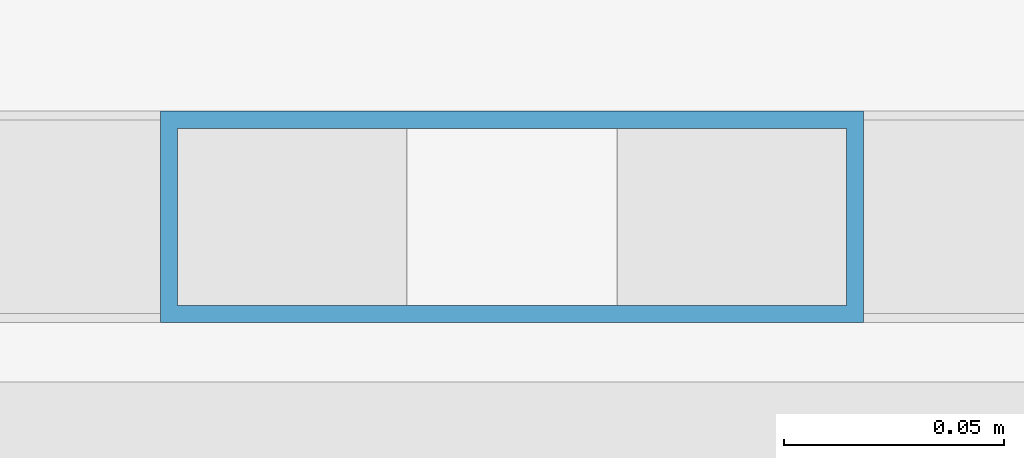
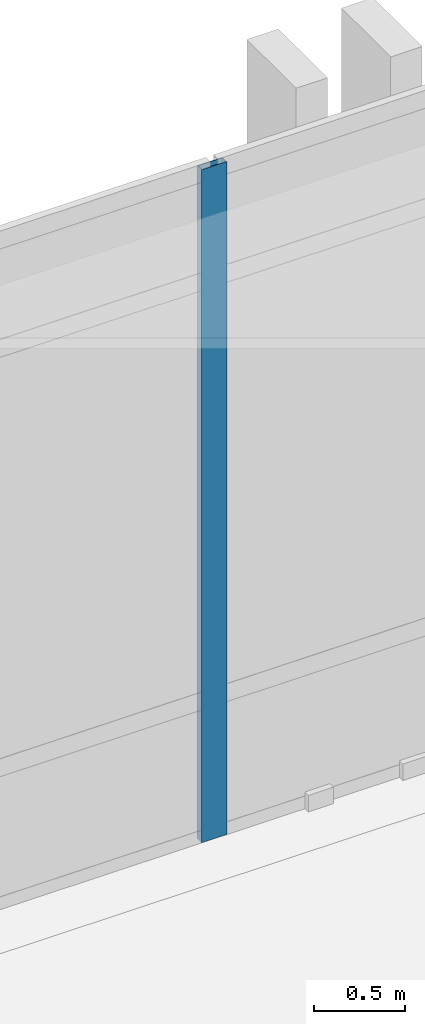
# One storey, part 109 of 189: 1 member, 1 element without a shape of its own.
"""IFC4 building model written with IfcOpenShell, lengths in metres."""

from ifc_helpers import new_model, si_unit, direction, frame, origin, origin_2d, place, context, subcontext, project, spatial, hollow_rectangle, extrude, material, layer, layer_set, material_profile, profile_set, type_object, element, aggregate, save


model = new_model("IFC4")

# Units and contexts
model_context = context("Model", 3, precision=1e-05, world=origin(), true_north=direction((0.0, 1.0)))
body_context = subcontext(model_context, "Body", "Model", "MODEL_VIEW")
ifc_project = project(units=[si_unit("LENGTHUNIT", "METRE"), si_unit("AREAUNIT", "SQUARE_METRE"), si_unit("VOLUMEUNIT", "CUBIC_METRE"), si_unit("PLANEANGLEUNIT", "RADIAN"), si_unit("MASSUNIT", "GRAM", prefix="KILO")], contexts=[model_context])

# Site, building, storey
site_placement = place(None, origin())
site = spatial("IfcSite", under=ifc_project, at=site_placement, CompositionType="ELEMENT")
building_placement = place(site_placement, origin())
building = spatial("IfcBuilding", under=site, at=building_placement, Name="Qalavern Law Courts", CompositionType="ELEMENT")
storey_placement = place(building_placement, frame((0.0, 0.0, 5.39990234375)))
storey = spatial("IfcBuildingStorey", under=building, at=storey_placement, Name="L01", CompositionType="ELEMENT", Elevation=5.39990234375)

# Curtain wall, member
ifc_material_1 = material(Name="Anodised aluminium and insulated glazing", Category="aluminium")
ifc_layer = layer(ifc_material_1, 0.172119140625)
ifc_layer_set = layer_set([ifc_layer], Name="Anodised aluminium and insulated glazing")
curtain_wall_type = type_object("IfcCurtainWallType", Name="ENV-CW-COURT", PredefinedType="USERDEFINED", material=ifc_layer_set)
curtain_wall_placement = place(storey_placement, origin())
curtain_wall = element("IfcCurtainWall", 1, at=curtain_wall_placement, inside=storey, type_object=curtain_wall_type, Name="V4 unitised curtain wall L01 north 1", ObjectType="UNITISED CURTAIN WALL", PredefinedType="USERDEFINED")
ifc_material_2 = material(Name="Anodised aluminium", Category="aluminium")
ifc_material_profile = material_profile(ifc_material_2, hollow_rectangle(XDim=0.048095703125, YDim=0.159912109375, WallThickness=0.00390625, at=origin_2d()), Name="ALU MULLION 48x160")
ifc_profile_set = profile_set([ifc_material_profile], Name="Anodised aluminium")
member_type = type_object("IfcMemberType", Name="ENV-CWM-48x160", PredefinedType="MULLION", material=ifc_profile_set)
member_placement = place(storey_placement, frame((98.344482421875, 85.637451171875, 0.0), z_axis=(0.0, 0.0, 1.0), x_axis=(0.0, -1.0, 0.0)))
member = element("IfcMember", 2, at=member_placement, type_object=member_type, Name="CW-03 mullion 6", PredefinedType="MULLION", context=body_context, shape_type="SweptSolid", body=[
    extrude(hollow_rectangle(XDim=0.048095703125, YDim=0.159912109375, WallThickness=0.00390625, at=origin_2d()), origin(), (0.0, 0.0, 1.0), 4.510009765625),
])
aggregate(curtain_wall, [member])

save(model, "model.ifc")
